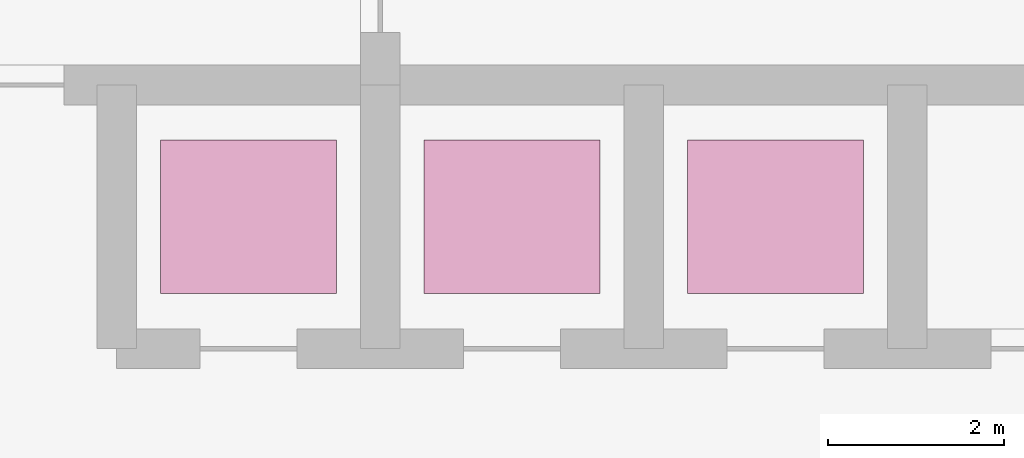
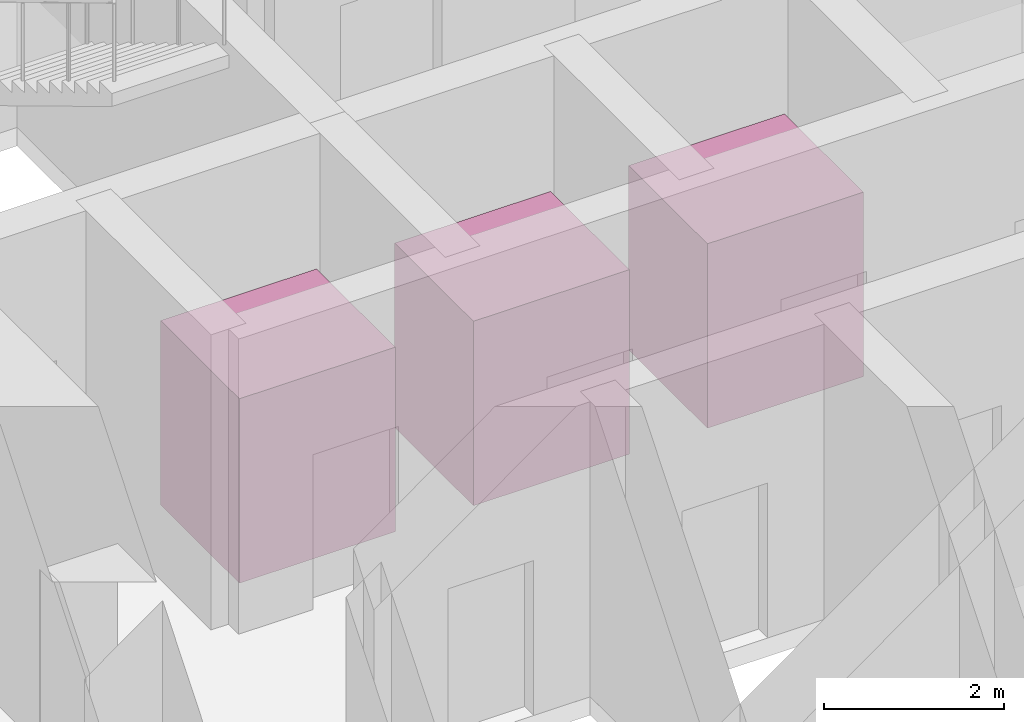
# One storey, part 14 of 14: 3 transport elements.
"""IFC4 building model written with IfcOpenShell, lengths in metres."""

from ifc_helpers import new_model, si_unit, direction, frame, origin, origin_2d, place, context, subcontext, project, spatial, rectangle, extrude, material, type_object, element, save


model = new_model("IFC4")

# Units and contexts
model_context = context("Model", 3, precision=1e-05, world=origin(), true_north=direction((0.0, 1.0)))
body_context = subcontext(model_context, "Body", "Model", "MODEL_VIEW")
ifc_project = project(units=[si_unit("LENGTHUNIT", "METRE"), si_unit("AREAUNIT", "SQUARE_METRE"), si_unit("VOLUMEUNIT", "CUBIC_METRE"), si_unit("PLANEANGLEUNIT", "RADIAN"), si_unit("MASSUNIT", "GRAM", prefix="KILO")], contexts=[model_context])

# Site, building, storey
site_placement = place(None, origin())
site = spatial("IfcSite", under=ifc_project, at=site_placement, CompositionType="ELEMENT")
building_placement = place(site_placement, origin())
building = spatial("IfcBuilding", under=site, at=building_placement, Name="Tarangal Relay Tower", CompositionType="ELEMENT")
storey_placement = place(building_placement, frame((0.0, 0.0, 177.89990234375)))
storey = spatial("IfcBuildingStorey", under=building, at=storey_placement, Name="L36", CompositionType="ELEMENT", Elevation=177.89990234375)

# Transport elements
ifc_material = material(Name="Stainless steel lift car", Category="steel")
transport_element_type = type_object("IfcTransportElementType", Name="Passenger lift car 1600 kg", PredefinedType="ELEVATOR", material=ifc_material)
for number, where, z_axis, x_axis, name in (
    (1, (-7.5, 3.0, 0.0), (0.0, 0.0, 1.0), (1.0, 0.0, 0.0), "Lift OL1"),
    (2, (-4.5, 3.0, 0.0), (0.0, 0.0, 1.0), (1.0, 0.0, 0.0), "Lift OL2"),
    (3, (-1.5, 3.0, 0.0), (0.0, 0.0, 1.0), (1.0, 0.0, 0.0), "Lift OL3"),
):
    element("IfcTransportElement", number, at=place(storey_placement, frame(where, z_axis=z_axis, x_axis=x_axis)), inside=storey, type_object=transport_element_type, Name=name, PredefinedType="ELEVATOR", context=body_context, shape_type="SweptSolid", body=[
        extrude(rectangle(XDim=2.0, YDim=1.75, at=origin_2d()), origin(), (0.0, 0.0, 1.0), 2.5),
    ])

save(model, "model.ifc")
